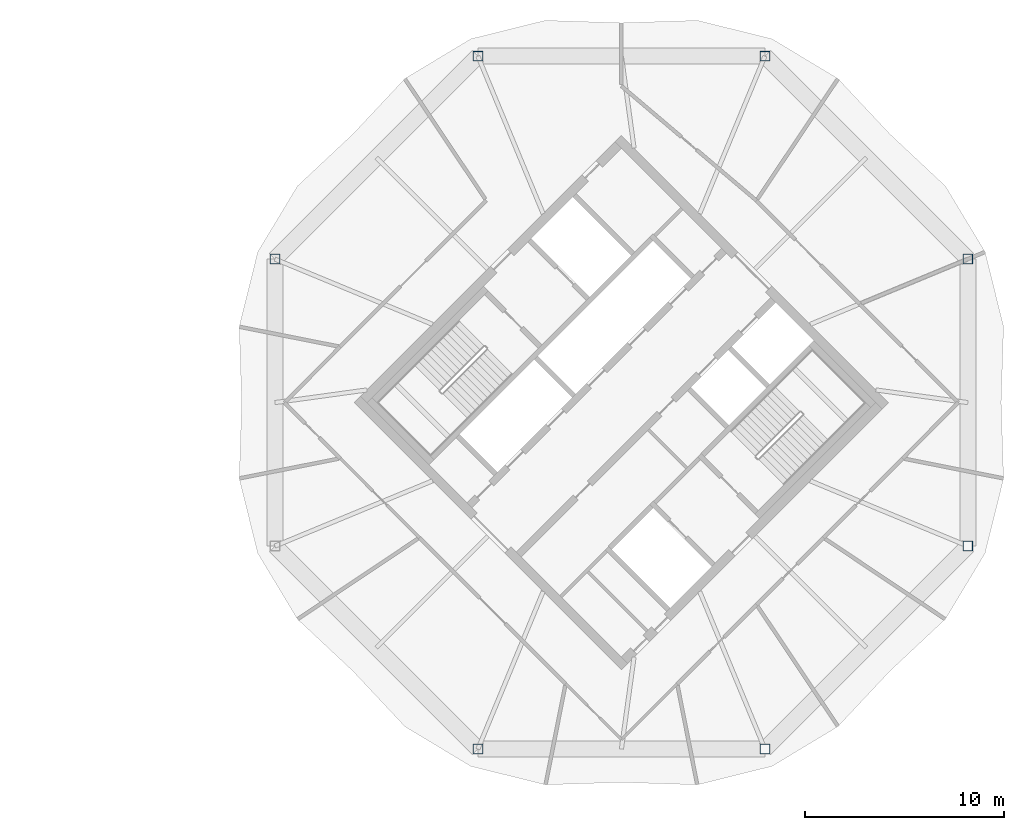
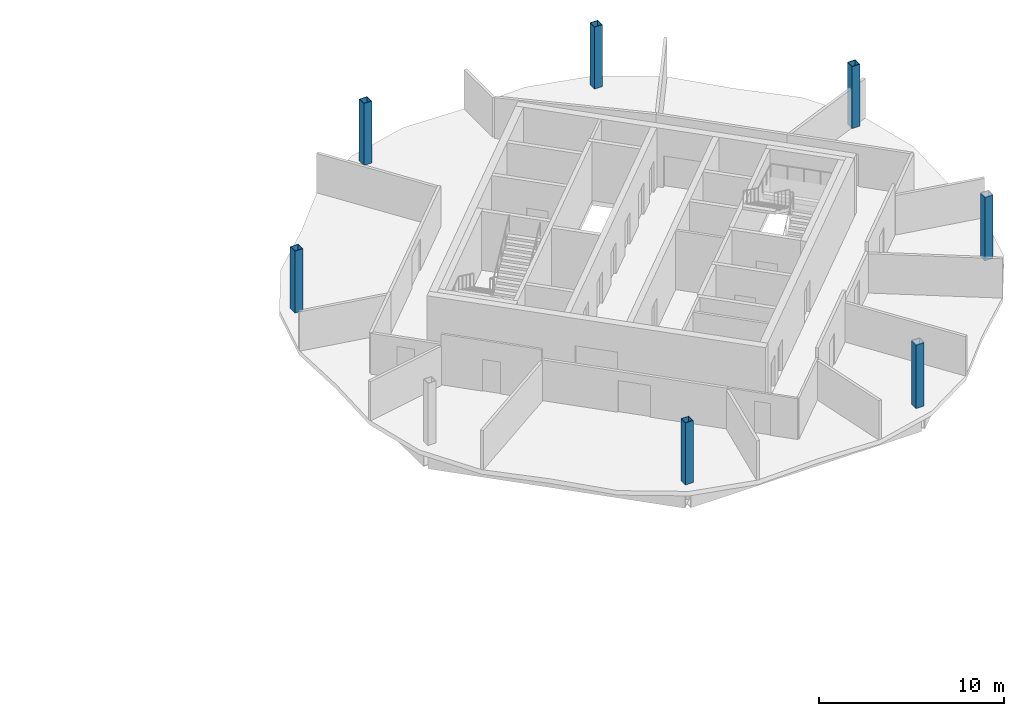
# One storey, part 2 of 10: 7 columns.
"""IFC4 building model written with IfcOpenShell, lengths in metres."""

from ifc_helpers import new_model, si_unit, direction, frame, origin, origin_2d, place, context, subcontext, project, spatial, hollow_rectangle, extrude, material, material_profile, profile_set, type_object, element, save


model = new_model("IFC4")

# Units and contexts
model_context = context("Model", 3, precision=1e-05, world=origin(), true_north=direction((0.0, 1.0)))
body_context = subcontext(model_context, "Body", "Model", "MODEL_VIEW")
ifc_project = project(units=[si_unit("LENGTHUNIT", "METRE"), si_unit("AREAUNIT", "SQUARE_METRE"), si_unit("VOLUMEUNIT", "CUBIC_METRE"), si_unit("PLANEANGLEUNIT", "RADIAN"), si_unit("MASSUNIT", "GRAM", prefix="KILO")], contexts=[model_context])

# Site, building, storey
site_placement = place(None, origin())
site = spatial("IfcSite", under=ifc_project, at=site_placement, CompositionType="ELEMENT")
building_placement = place(site_placement, origin())
building = spatial("IfcBuilding", under=site, at=building_placement, Name="Ogive Gate Towers", CompositionType="ELEMENT")
storey_placement = place(building_placement, frame((0.0, 0.0, 264.60009765625)))
storey = spatial("IfcBuildingStorey", under=building, at=storey_placement, Name="L62", CompositionType="ELEMENT", Elevation=264.60009765625)

# Columns
ifc_material = material(Name="Steel SM460", Category="steel")
ifc_material_profile = material_profile(ifc_material, hollow_rectangle(XDim=0.5, YDim=0.5, WallThickness=0.030029296875, at=origin_2d()), Name="BX 500x500x30")
ifc_profile_set = profile_set([ifc_material_profile], Name="Steel SM460")
column_type = type_object("IfcColumnType", Name="Perimeter post BX 500x500x30", PredefinedType="COLUMN", material=ifc_profile_set)
for number, where, z_axis, x_axis, name in (
    (1, (53.42431640625, 7.217529296875, 0.0), (0.0, 0.0, 1.0), (1.0, 0.0, 0.0), "T2/L62/SCL001"),
    (2, (43.217529296875, 17.42431640625, 0.0), (0.0, 0.0, 1.0), (1.0, 0.0, 0.0), "T2/L62/SCL002"),
    (3, (28.782470703125, 17.42431640625, 0.0), (0.0, 0.0, 1.0), (1.0, 0.0, 0.0), "T2/L62/SCL003"),
    (4, (18.57568359375, 7.217529296875, 0.0), (0.0, 0.0, 1.0), (1.0, 0.0, 0.0), "T2/L62/SCL004"),
    (5, (28.782470703125, -17.42431640625, 0.0), (0.0, 0.0, 1.0), (1.0, 0.0, 0.0), "T2/L62/SCL006"),
):
    element("IfcColumn", number, at=place(storey_placement, frame(where, z_axis=z_axis, x_axis=x_axis)), inside=storey, type_object=column_type, Name=name, PredefinedType="COLUMN", context=body_context, shape_type="SweptSolid", body=[
        extrude(hollow_rectangle(XDim=0.5, YDim=0.5, WallThickness=0.030029296875, at=origin_2d()), origin(), (0.0, 0.0, 1.0), 4.099853515625),
    ])
for number, where, z_axis, x_axis, name in (
    (6, (43.217529296875, -17.42431640625, 0.0), (0.0, 0.0, 1.0), (1.0, 0.0, 0.0), "T2/L62/SCL007"),
    (7, (53.42431640625, -7.217529296875, 0.0), (0.0, 0.0, 1.0), (1.0, 0.0, 0.0), "T2/L62/SCL008"),
):
    element("IfcColumn", number, at=place(storey_placement, frame(where, z_axis=z_axis, x_axis=x_axis)), inside=storey, type_object=column_type, Name=name, PredefinedType="COLUMN", context=body_context, shape_type="SweptSolid", body=[
        extrude(hollow_rectangle(XDim=0.5, YDim=0.5, WallThickness=0.030029296875, at=origin_2d()), origin(), (0.0, 0.0, 1.0), 4.199951171875),
    ])

save(model, "model.ifc")
